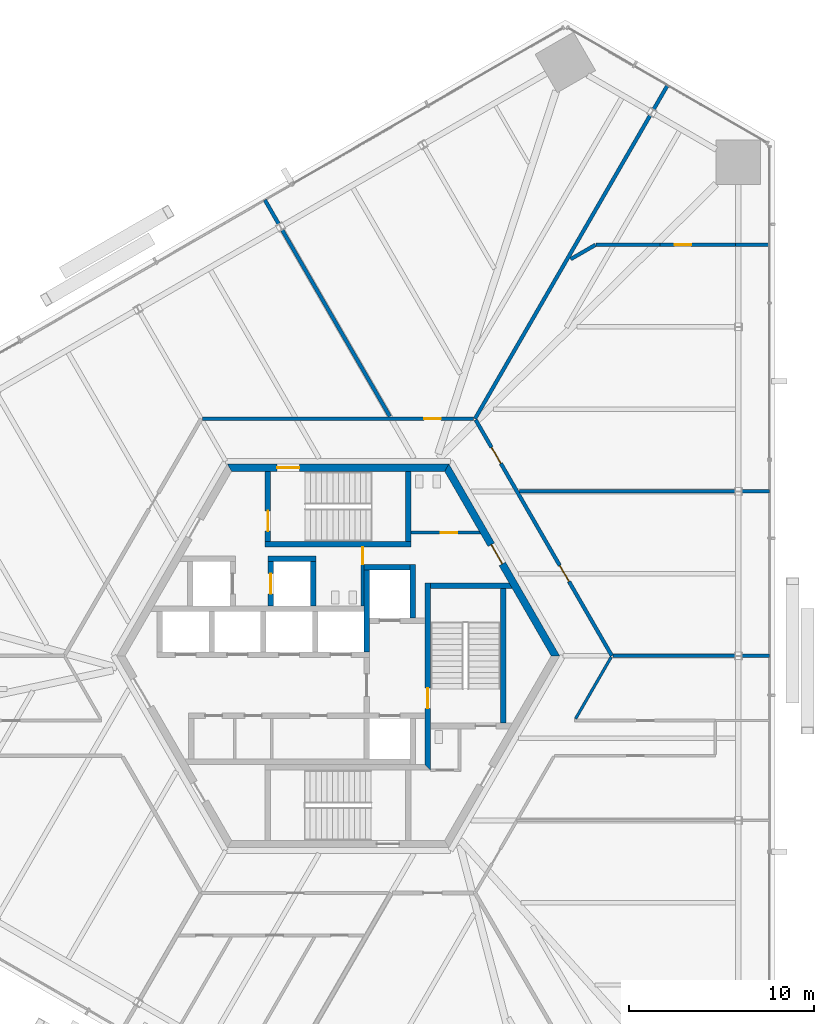
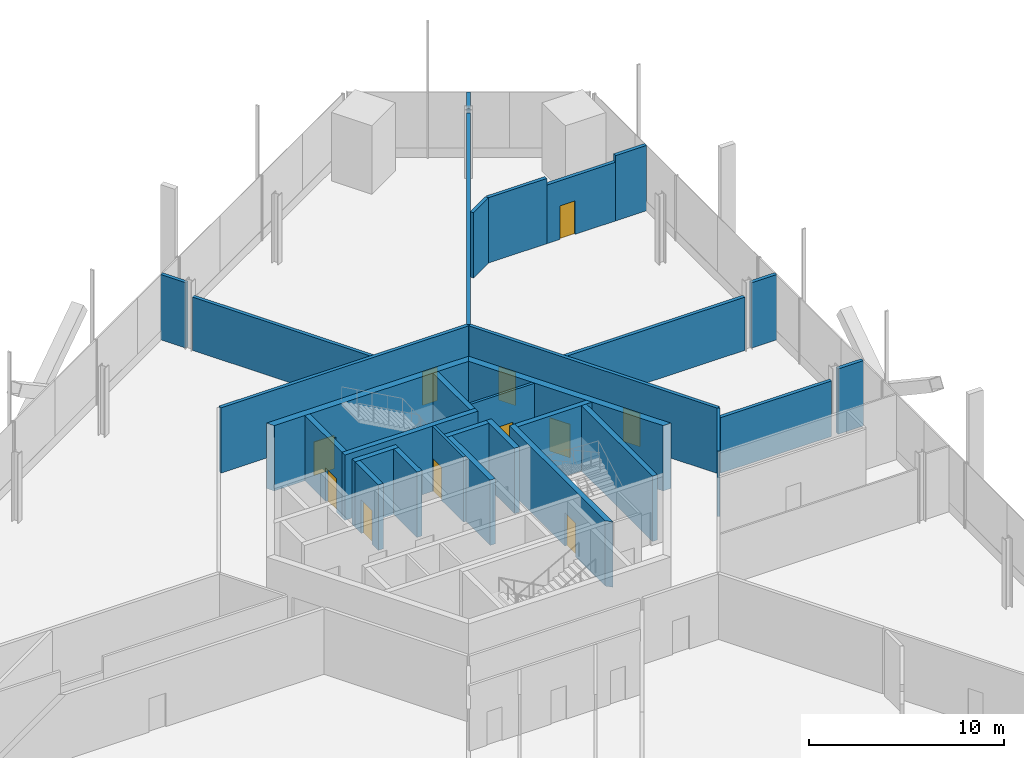
# One storey, part 12 of 18: 31 walls, 11 doors, 11 openings.
"""IFC4 building model written with IfcOpenShell, lengths in metres."""

import ifcopenshell
import ifcopenshell.guid

model = None  # the IFC model being written
_history = None  # IfcOwnerHistory: only IFC2X3 demands one
_inside = {}  # id of a spatial element -> (the spatial element, [elements in it])
_under = {}  # id of a project, library or spatial element -> (it, [spatial elements below it])
_declared = {}  # id of a project -> (the project, [libraries it declares])
_typed = {}  # id of a type object -> (the type object, [elements of that type])
_made_of = {}  # id of a material, layer set ... -> (it, [elements and type objects made of it])


def new_model(schema):
    """Start an empty IFC model of exactly this schema.

    Asked for "IFC4X3", IfcOpenShell would pick the latest addendum, in which some entities
    have other attributes; the version numbers below select the first issue.
    IFC2X3 requires an IfcOwnerHistory on every rooted entity: one is made here for all.
    """
    global model, _history
    if schema == "IFC4X3":
        model = ifcopenshell.file(schema_version=(4, 3, 0, 0))
    else:
        model = ifcopenshell.file(schema=schema)
    _inside.clear()
    _under.clear()
    _declared.clear()
    _typed.clear()
    _made_of.clear()
    _history = None
    if model.schema == "IFC2X3":
        org = make("IfcOrganization", Name="unknown")
        user = make(
            "IfcPersonAndOrganization",
            ThePerson=make("IfcPerson", FamilyName="unknown"),
            TheOrganization=org,
        )
        app = make(
            "IfcApplication",
            ApplicationDeveloper=org,
            Version="unknown",
            ApplicationFullName="unknown",
            ApplicationIdentifier="unknown",
        )
        _history = make(
            "IfcOwnerHistory",
            OwningUser=user,
            OwningApplication=app,
            ChangeAction="ADDED",
            CreationDate=0,
        )
    return model


def make(cls, **values):
    """One entity of the class cls with the attributes given. An attribute that is None is left unset."""
    return model.create_entity(
        cls, **{name: value for name, value in values.items() if value is not None}
    )


def rooted(cls, **values):
    """An entity with a GlobalId (a new one), such as an element, a storey or a relation."""
    return make(cls, GlobalId=ifcopenshell.guid.new(), OwnerHistory=_history, **values)


def si_unit(unit_type, name, prefix=None):
    """IfcSIUnit, for example si_unit("LENGTHUNIT", "METRE", prefix="MILLI")."""
    return make("IfcSIUnit", UnitType=unit_type, Prefix=prefix, Name=name)


def assignment(units):
    """IfcUnitAssignment: the units of a project."""
    return None if units is None else make("IfcUnitAssignment", Units=units)


def point(xyz):
    """IfcCartesianPoint."""
    return None if xyz is None else make("IfcCartesianPoint", Coordinates=xyz)


def direction(xyz):
    """IfcDirection."""
    return None if xyz is None else make("IfcDirection", DirectionRatios=xyz)


def frame(location, z_axis=None, x_axis=None):
    """IfcAxis2Placement3D, a coordinate frame: its origin and axes. An axis left out is left unset."""
    return make(
        "IfcAxis2Placement3D",
        Location=point(location),
        Axis=direction(z_axis),
        RefDirection=direction(x_axis),
    )


def frame_2d(location, x_axis=None):
    """IfcAxis2Placement2D, a coordinate frame in the plane: its origin and x axis."""
    return make(
        "IfcAxis2Placement2D", Location=point(location), RefDirection=direction(x_axis)
    )


def origin():
    """The frame at (0, 0, 0) with its axes left unset."""
    return frame((0.0, 0.0, 0.0))


def place(relative_to, where):
    """IfcLocalPlacement: puts the frame where relative to a parent placement (None: the world)."""
    return make(
        "IfcLocalPlacement", PlacementRelTo=relative_to, RelativePlacement=where
    )


def context(
    kind, dimensions, precision=None, world=None, true_north=None, identifier=None
):
    """IfcGeometricRepresentationContext, for example the 3D "Model" context."""
    return make(
        "IfcGeometricRepresentationContext",
        ContextIdentifier=identifier,
        ContextType=kind,
        CoordinateSpaceDimension=dimensions,
        Precision=precision,
        WorldCoordinateSystem=world,
        TrueNorth=true_north,
    )


def subcontext(parent, identifier, kind, view, scale=None):
    """IfcGeometricRepresentationSubContext, for example "Body" below "Model"."""
    return make(
        "IfcGeometricRepresentationSubContext",
        ContextIdentifier=identifier,
        ContextType=kind,
        ParentContext=parent,
        TargetScale=scale,
        TargetView=view,
    )


def project(units=None, contexts=None):
    """IfcProject with its units and contexts."""
    return rooted(
        "IfcProject",
        Name="project",
        RepresentationContexts=contexts,
        UnitsInContext=assignment(units),
    )


def spatial(cls, under=None, at=None, **own):
    """A site, building, storey or space (cls), placed at a placement, below another one or the project."""
    s = rooted(cls, ObjectPlacement=at, **own)
    if under is not None:
        _under.setdefault(under.id(), (under, []))[1].append(s)
    return s


def polyline(points):
    """IfcPolyline through the points."""
    return make("IfcPolyline", Points=[point(p) for p in points])


def profile(cls, at=None, kind="AREA", **sizes):
    """A parametric profile (cls). Its sizes go by their IFC names, for example OverallWidth=200.0."""
    return make(cls, ProfileType=kind, Position=at, **sizes)


def rectangle(**sizes):
    """IfcRectangleProfileDef."""
    return profile("IfcRectangleProfileDef", **sizes)


def outline(outer, holes=None, kind="AREA"):
    """IfcArbitraryClosedProfileDef: a profile drawn as a closed curve; with holes, ...WithVoids."""
    if holes is None:
        return make("IfcArbitraryClosedProfileDef", ProfileType=kind, OuterCurve=outer)
    return make(
        "IfcArbitraryProfileDefWithVoids",
        ProfileType=kind,
        OuterCurve=outer,
        InnerCurves=holes,
    )


def extrude(swept, where, along, depth):
    """IfcExtrudedAreaSolid: the profile swept, set in the frame where, extruded along a direction by depth."""
    return make(
        "IfcExtrudedAreaSolid",
        SweptArea=swept,
        Position=where,
        ExtrudedDirection=direction(along),
        Depth=depth,
    )


def shape(context_of_items, identifier, shape_type, items):
    """IfcShapeRepresentation: the items that make up one representation, for example the "Body"."""
    return make(
        "IfcShapeRepresentation",
        ContextOfItems=context_of_items,
        RepresentationIdentifier=identifier,
        RepresentationType=shape_type,
        Items=items,
    )


def source(mapping_origin, context_of_items, identifier, shape_type, items):
    """IfcRepresentationMap: a shape defined once, which mapped items show again and again."""
    return make(
        "IfcRepresentationMap",
        MappingOrigin=mapping_origin,
        MappedRepresentation=shape(context_of_items, identifier, shape_type, items),
    )


def transform(
    local_origin,
    x_axis=None,
    y_axis=None,
    z_axis=None,
    scale=None,
    scale2=None,
    scale3=None,
    uniform=True,
):
    """IfcCartesianTransformationOperator3D, or its non-uniform kind. x_axis, y_axis, z_axis: its Axis1, 2, 3."""
    if uniform:
        return make(
            "IfcCartesianTransformationOperator3D",
            Axis1=direction(x_axis),
            Axis2=direction(y_axis),
            LocalOrigin=point(local_origin),
            Scale=scale,
            Axis3=direction(z_axis),
        )
    return make(
        "IfcCartesianTransformationOperator3DnonUniform",
        Axis1=direction(x_axis),
        Axis2=direction(y_axis),
        LocalOrigin=point(local_origin),
        Scale=scale,
        Axis3=direction(z_axis),
        Scale2=scale2,
        Scale3=scale3,
    )


def mapped(mapping_source, mapping_target):
    """IfcMappedItem: shows the shape of a source again, moved by a transform."""
    return make(
        "IfcMappedItem", MappingSource=mapping_source, MappingTarget=mapping_target
    )


def material(Name=None, Category=None):
    """IfcMaterial."""
    return make("IfcMaterial", Name=Name, Category=Category)


def layer(
    of_material, thickness, ventilated=None, Name=None, Category=None, Priority=None
):
    """IfcMaterialLayer: one layer of a wall or slab, of a material (None: an air gap)."""
    return make(
        "IfcMaterialLayer",
        Material=of_material,
        LayerThickness=thickness,
        IsVentilated=ventilated,
        Name=Name,
        Category=Category,
        Priority=Priority,
    )


def layer_set(layers, Name=None):
    """IfcMaterialLayerSet."""
    return make("IfcMaterialLayerSet", MaterialLayers=layers, LayerSetName=Name)


def made_of(thing, what):
    """Note that an element or type object is made of a material, layer set ...; save() writes the relation."""
    if what is not None:
        _made_of.setdefault(what.id(), (what, []))[1].append(thing)
    return thing


def type_object(cls, material=None, **own):
    """A type object (cls), such as IfcWallType, which elements share."""
    return made_of(rooted(cls, **own), material)


def element(
    cls,
    number,
    at=None,
    inside=None,
    cuts=None,
    type_object=None,
    material=None,
    context=None,
    identifier="Body",
    shape_type=None,
    held_by="IfcProductDefinitionShape",
    body=None,
    shapes=None,
    **own,
):
    """One element of the class cls, such as IfcWall. Its Tag is "e" and its number.

    at: its placement. inside: the storey or other place that contains it. cuts: it is an
    opening in that element (IfcRelVoidsElement). A single representation is given by context,
    identifier, shape_type and body (its items); several are given by shapes. held_by: the class
    of the entity that holds the representations. save() writes the other relations.
    """
    e = rooted(cls, Tag="e%d" % number, ObjectPlacement=at, **own)
    if body is not None:
        shapes = [shape(context, identifier, shape_type, body)]
    if shapes is not None:
        e.Representation = make(held_by, Representations=shapes)
    if inside is not None:
        _inside.setdefault(inside.id(), (inside, []))[1].append(e)
    if cuts is not None:
        rooted(
            "IfcRelVoidsElement", RelatingBuildingElement=cuts, RelatedOpeningElement=e
        )
    if type_object is not None:
        _typed.setdefault(type_object.id(), (type_object, []))[1].append(e)
    return made_of(e, material)


def fill(opening, filler):
    """IfcRelFillsElement: the door or window that sits in an opening."""
    return rooted(
        "IfcRelFillsElement",
        RelatingOpeningElement=opening,
        RelatedBuildingElement=filler,
    )


def aggregate(whole, parts):
    """IfcRelAggregates: a whole, such as a stair, and the parts it consists of."""
    return rooted("IfcRelAggregates", RelatingObject=whole, RelatedObjects=parts)


def save(model, path):
    """Write the relations noted so far, then the file.

    IfcRelAggregates (storeys below a building ...), IfcRelContainedInSpatialStructure (elements
    in a storey), IfcRelDefinesByType, IfcRelAssociatesMaterial and IfcRelDeclares: one each for
    every whole, place, type object, material and project.
    """
    for whole, parts in _under.values():
        aggregate(whole, parts)
    for where, things in _inside.values():
        rooted(
            "IfcRelContainedInSpatialStructure",
            RelatedElements=things,
            RelatingStructure=where,
        )
    for kind, things in _typed.values():
        rooted("IfcRelDefinesByType", RelatedObjects=things, RelatingType=kind)
    for what, things in _made_of.values():
        rooted("IfcRelAssociatesMaterial", RelatedObjects=things, RelatingMaterial=what)
    for by, libraries in _declared.values():
        rooted("IfcRelDeclares", RelatingContext=by, RelatedDefinitions=libraries)
    model.write(path)


model = new_model("IFC4")

# Units and contexts
model_context = context("Model", 3, precision=1e-05, world=origin(), true_north=direction((0.0, 1.0)))
body_context = subcontext(model_context, "Body", "Model", "MODEL_VIEW")
ifc_project = project(units=[si_unit("LENGTHUNIT", "METRE"), si_unit("AREAUNIT", "SQUARE_METRE"), si_unit("VOLUMEUNIT", "CUBIC_METRE"), si_unit("PLANEANGLEUNIT", "RADIAN"), si_unit("MASSUNIT", "GRAM", prefix="KILO")], contexts=[model_context])

# Site, building, storey
site_placement = place(None, origin())
site = spatial("IfcSite", under=ifc_project, at=site_placement, CompositionType="ELEMENT")
building_placement = place(site_placement, origin())
building = spatial("IfcBuilding", under=site, at=building_placement, Name="Triune Harvest Tower", CompositionType="ELEMENT")
storey_placement = place(building_placement, frame((0.0, 0.0, 33.199951171875)))
storey = spatial("IfcBuildingStorey", under=building, at=storey_placement, Name="L07", CompositionType="ELEMENT", Elevation=33.199951171875)

# Walls
ifc_material_1 = material(Name="Gypsum board on steel studs", Category="steel")
ifc_layer_1 = layer(ifc_material_1, 0.199951171875)
ifc_layer_set_1 = layer_set([ifc_layer_1], Name="Gypsum board on steel studs")
wall_type_1 = type_object("IfcWallType", Name="Fire Wall 200 mm", PredefinedType="PARTITIONING", material=ifc_layer_set_1)
wall_1_placement = place(storey_placement, frame((13.96337890625, 22.27490234375, 0.0), z_axis=(0.0, 0.0, 1.0), x_axis=(1.0, 0.0, 0.0)))
element("IfcWall", 1, at=wall_1_placement, inside=storey, type_object=wall_type_1, Name="Partition L07 028", PredefinedType="PARTITIONING", context=body_context, shape_type="SweptSolid", body=[
    extrude(rectangle(XDim=3.477294921875, YDim=0.199951171875, at=frame_2d((1.73876953125, 0.0))), origin(), (0.0, 0.0, 1.0), 4.10009765625),
])
wall_2_placement = place(storey_placement, frame((12.594482421875, 21.484619140625, 0.0), z_axis=(0.0, 0.0, 1.0), x_axis=(0.865986299303, 0.500067724834, 0.0)))
element("IfcWall", 2, at=wall_2_placement, inside=storey, type_object=wall_type_1, Name="Partition L07 030", PredefinedType="PARTITIONING", context=body_context, shape_type="SweptSolid", body=[
    extrude(rectangle(XDim=1.550537109375, YDim=0.199951171875, at=frame_2d((0.775390625, 0.0))), origin(), (0.0, 0.0, 1.0), 4.10009765625),
])

# Wall, opening, door
ifc_material_2 = material(Name="Concrete 70 MPa", Category="concrete")
ifc_layer_2 = layer(ifc_material_2, 0.39990234375)
ifc_layer_set_2 = layer_set([ifc_layer_2], Name="Concrete 70 MPa")
wall_type_2 = type_object("IfcWallType", Name="Core wall 400", PredefinedType="SHEAR", material=ifc_layer_set_2)
shared_shape_1 = source(origin(), body_context, "Body", "SweptSolid", [
    extrude(outline(polyline([(-0.115478515625, -0.199951171875), (11.884521484375, -0.199951171875), (11.653564453125, 0.199951171875), (0.115478515625, 0.199951171875), (-0.115478515625, -0.199951171875)])), origin(), (0.0, 0.0, 1.0), 4.10009765625),
])
wall_3_placement = place(storey_placement, frame((11.76904296875, 0.0, 0.0), z_axis=(0.0, 0.0, 1.0), x_axis=(-0.499996592174, 0.866027371285, 0.0)))
wall_3 = element("IfcWall", 3, at=wall_3_placement, inside=storey, type_object=wall_type_2, Name="Hexagon 0 wall", PredefinedType="SHEAR", context=body_context, shape_type="MappedRepresentation", body=[
    mapped(shared_shape_1, transform((0.0, 0.0, 0.0), scale=1.0)),
])
opening_1_placement = place(wall_3_placement, frame((5.75048828125, 0.0, 0.0)))
opening_1 = element("IfcOpeningElement", 4, at=opening_1_placement, cuts=wall_3, Name="Opening CD-WCP", PredefinedType="OPENING", context=body_context, shape_type="SweptSolid", body=[
    extrude(rectangle(XDim=1.199951171875, YDim=2.10009765625, at=frame_2d((0.60009765625, 1.050048828125))), frame((0.0, 0.2099609375, 0.0), z_axis=(0.0, -1.0, 0.0), x_axis=(1.0, 0.0, 0.0)), (0.0, 0.0, 1.0), 0.419921875),
])
ifc_material_3 = material(Name="Steel S235", Category="steel")
door_type_1 = type_object("IfcDoorType", Name="Lobby door 1200 FD120", OperationType="SINGLE_SWING_LEFT", PredefinedType="DOOR", material=ifc_material_3)
door_1_placement = place(opening_1_placement, frame((1.199951171875, 0.0, 0.0), z_axis=(0.0, 0.0, 1.0), x_axis=(-1.0, 0.0, 0.0)))
door_1 = element("IfcDoor", 5, at=door_1_placement, inside=storey, type_object=door_type_1, Name="Door CD-WCP", OperationType="SINGLE_SWING_RIGHT", OverallHeight=2.10009765625, OverallWidth=1.199951171875, PredefinedType="DOOR", context=body_context, shape_type="SweptSolid", body=[
    extrude(rectangle(XDim=1.199951171875, YDim=2.10009765625, at=frame_2d((0.60009765625, 1.050048828125))), frame((0.0, 0.02490234375, 0.0), z_axis=(0.0, -1.0, 0.0), x_axis=(1.0, 0.0, 0.0)), (0.0, 0.0, 1.0), 0.050048828125),
])
fill(opening_1, door_1)

wall_4_placement = place(storey_placement, frame((5.884521484375, 10.1923828125, 0.0), z_axis=(0.0, 0.0, 1.0), x_axis=(-1.0, 0.0, 0.0)))
wall_4 = element("IfcWall", 6, at=wall_4_placement, inside=storey, type_object=wall_type_2, Name="Hexagon 1 wall", PredefinedType="SHEAR", context=body_context, shape_type="MappedRepresentation", body=[
    mapped(shared_shape_1, transform((0.0, 0.0, 0.0), scale=1.0)),
])
opening_2_placement = place(wall_4_placement, frame((7.984619140625, 0.0, 0.0)))
opening_2 = element("IfcOpeningElement", 7, at=opening_2_placement, cuts=wall_4, Name="Opening CD-S1P", PredefinedType="OPENING", context=body_context, shape_type="SweptSolid", body=[
    extrude(rectangle(XDim=1.199951171875, YDim=2.10009765625, at=frame_2d((0.60009765625, 1.050048828125))), frame((0.0, 0.2099609375, 0.0), z_axis=(0.0, -1.0, 0.0), x_axis=(1.0, 0.0, 0.0)), (0.0, 0.0, 1.0), 0.419921875),
])
ifc_material_4 = material(Name="Steel S235", Category="steel")
door_type_2 = type_object("IfcDoorType", Name="Stair door 1200 FD120", OperationType="SINGLE_SWING_LEFT", PredefinedType="DOOR", material=ifc_material_4)
door_2_placement = place(opening_2_placement, frame((1.199951171875, 0.0, 0.0), z_axis=(0.0, 0.0, 1.0), x_axis=(-1.0, 0.0, 0.0)))
door_2 = element("IfcDoor", 8, at=door_2_placement, inside=storey, type_object=door_type_2, Name="Door CD-S1P", OperationType="SINGLE_SWING_RIGHT", OverallHeight=2.10009765625, OverallWidth=1.199951171875, PredefinedType="DOOR", context=body_context, shape_type="SweptSolid", body=[
    extrude(rectangle(XDim=1.199951171875, YDim=2.10009765625, at=frame_2d((0.60009765625, 1.050048828125))), frame((0.0, 0.02490234375, 0.0), z_axis=(0.0, -1.0, 0.0), x_axis=(1.0, 0.0, 0.0)), (0.0, 0.0, 1.0), 0.050048828125),
])
fill(opening_2, door_2)

# Walls
ifc_material_5 = material(Name="Concrete 70 MPa", Category="concrete")
ifc_layer_3 = layer(ifc_material_5, 0.300048828125)
ifc_layer_set_3 = layer_set([ifc_layer_3], Name="Concrete 70 MPa")
wall_type_3 = type_object("IfcWallType", Name="Core wall 300", PredefinedType="SHEAR", material=ifc_layer_set_3)
shared_shape_2 = source(origin(), body_context, "Body", "SweptSolid", [
    extrude(rectangle(XDim=2.5, YDim=0.300048828125, at=frame_2d((1.25, 0.0))), origin(), (0.0, 0.0, 1.0), 4.10009765625),
])
wall_5_placement = place(storey_placement, frame((1.39990234375, 4.81005859375, 0.0), z_axis=(0.0, 0.0, 1.0), x_axis=(1.0, 0.0, 0.0)))
element("IfcWall", 9, at=wall_5_placement, inside=storey, type_object=wall_type_3, Name="Ff1 back wall", PredefinedType="SHEAR", context=body_context, shape_type="MappedRepresentation", body=[
    mapped(shared_shape_2, transform((0.0, 0.0, 0.0), scale=1.0)),
])
shared_shape_3 = source(origin(), body_context, "Body", "SweptSolid", [
    extrude(rectangle(XDim=4.449951171875, YDim=0.300048828125, at=frame_2d((2.22509765625, 0.0))), origin(), (0.0, 0.0, 1.0), 4.10009765625),
])
wall_6_placement = place(storey_placement, frame((1.550048828125, 0.2099609375, 0.0), z_axis=(0.0, 0.0, 1.0), x_axis=(0.0, 1.0, 0.0)))
element("IfcWall", 10, at=wall_6_placement, inside=storey, type_object=wall_type_3, Name="Ff1 west wall", PredefinedType="SHEAR", context=body_context, shape_type="MappedRepresentation", body=[
    mapped(shared_shape_3, transform((0.0, 0.0, 0.0), scale=1.0)),
])
shared_shape_4 = source(origin(), body_context, "Body", "SweptSolid", [
    extrude(rectangle(XDim=2.89990234375, YDim=0.300048828125, at=frame_2d((1.449951171875, 0.0))), origin(), (0.0, 0.0, 1.0), 4.10009765625),
])
wall_7_placement = place(storey_placement, frame((4.050048828125, 2.06005859375, 0.0), z_axis=(0.0, 0.0, 1.0), x_axis=(0.0, 1.0, 0.0)))
element("IfcWall", 11, at=wall_7_placement, inside=storey, type_object=wall_type_3, Name="Ff1 east wall", PredefinedType="SHEAR", context=body_context, shape_type="MappedRepresentation", body=[
    mapped(shared_shape_4, transform((0.0, 0.0, 0.0), scale=1.0)),
])

# Wall, opening, door
shared_shape_5 = source(origin(), body_context, "Body", "SweptSolid", [
    extrude(outline(polyline([(-0.14990234375, -0.14990234375), (9.989990234375, -0.14990234375), (9.989990234375, 0.14990234375), (0.14990234375, 0.14990234375), (-0.14990234375, -0.14990234375)])), origin(), (0.0, 0.0, 1.0), 4.10009765625),
])
wall_8_placement = place(storey_placement, frame((4.85009765625, -6.0400390625, 0.0), z_axis=(0.0, 0.0, 1.0), x_axis=(0.0, 1.0, 0.0)))
wall_8 = element("IfcWall", 12, at=wall_8_placement, inside=storey, type_object=wall_type_3, Name="Stair e west wall", PredefinedType="SHEAR", context=body_context, shape_type="MappedRepresentation", body=[
    mapped(shared_shape_5, transform((0.0, 0.0, 0.0), scale=1.0)),
])
opening_3_placement = place(wall_8_placement, frame((3.18994140625, 0.0, 0.0)))
opening_3 = element("IfcOpeningElement", 13, at=opening_3_placement, cuts=wall_8, Name="Opening CD-S3L", PredefinedType="OPENING", context=body_context, shape_type="SweptSolid", body=[
    extrude(rectangle(XDim=1.10009765625, YDim=2.10009765625, at=frame_2d((0.550048828125, 1.050048828125))), frame((0.0, 0.16015625, 0.0), z_axis=(0.0, -1.0, 0.0), x_axis=(1.0, 0.0, 0.0)), (0.0, 0.0, 1.0), 0.320068359375),
])
ifc_material_6 = material(Name="Steel S235", Category="steel")
door_type_3 = type_object("IfcDoorType", Name="Stair door 1100 FD120", OperationType="SINGLE_SWING_LEFT", PredefinedType="DOOR", material=ifc_material_6)
door_3_placement = place(opening_3_placement, frame((1.10009765625, 0.0, 0.0), z_axis=(0.0, 0.0, 1.0), x_axis=(-1.0, 0.0, 0.0)))
door_3 = element("IfcDoor", 14, at=door_3_placement, inside=storey, type_object=door_type_3, Name="Door CD-S3L", OperationType="SINGLE_SWING_RIGHT", OverallHeight=2.10009765625, OverallWidth=1.10009765625, PredefinedType="DOOR", context=body_context, shape_type="SweptSolid", body=[
    extrude(rectangle(XDim=1.10009765625, YDim=2.10009765625, at=frame_2d((0.550048828125, 1.050048828125))), frame((0.0, 0.02490234375, 0.0), z_axis=(0.0, -1.0, 0.0), x_axis=(1.0, 0.0, 0.0)), (0.0, 0.0, 1.0), 0.050048828125),
])
fill(opening_3, door_3)

# Walls
shared_shape_6 = source(origin(), body_context, "Body", "SweptSolid", [
    extrude(outline(polyline([(0.0, -0.14990234375), (0.0, 0.14990234375), (4.260009765625, 0.14990234375), (4.43310546875, -0.14990234375), (0.0, -0.14990234375)])), origin(), (0.0, 0.0, 1.0), 4.10009765625),
])
wall_9_placement = place(storey_placement, frame((5.0, 3.800048828125, 0.0), z_axis=(0.0, 0.0, 1.0), x_axis=(1.0, 0.0, 0.0)))
element("IfcWall", 15, at=wall_9_placement, inside=storey, type_object=wall_type_3, Name="Stair e north wall", PredefinedType="SHEAR", context=body_context, shape_type="MappedRepresentation", body=[
    mapped(shared_shape_6, transform((0.0, 0.0, 0.0), scale=1.0)),
])
shared_shape_7 = source(origin(), body_context, "Body", "SweptSolid", [
    extrude(rectangle(XDim=7.2998046875, YDim=0.300048828125, at=frame_2d((3.64990234375, 0.0))), origin(), (0.0, 0.0, 1.0), 4.10009765625),
])
wall_10_placement = place(storey_placement, frame((8.949951171875, -3.64990234375, 0.0), z_axis=(0.0, 0.0, 1.0), x_axis=(0.0, 1.0, 0.0)))
element("IfcWall", 16, at=wall_10_placement, inside=storey, type_object=wall_type_3, Name="Stair e east wall", PredefinedType="SHEAR", context=body_context, shape_type="MappedRepresentation", body=[
    mapped(shared_shape_7, transform((0.0, 0.0, 0.0), scale=1.0)),
])
shared_shape_8 = source(origin(), body_context, "Body", "SweptSolid", [
    extrude(rectangle(XDim=7.89990234375, YDim=0.300048828125, at=frame_2d((3.949951171875, 0.0))), origin(), (0.0, 0.0, 1.0), 4.10009765625),
])
wall_11_placement = place(storey_placement, frame((-3.949951171875, 6.0400390625, 0.0), z_axis=(0.0, 0.0, 1.0), x_axis=(1.0, 0.0, 0.0)))
element("IfcWall", 17, at=wall_11_placement, inside=storey, type_object=wall_type_3, Name="Stair n south wall", PredefinedType="SHEAR", context=body_context, shape_type="MappedRepresentation", body=[
    mapped(shared_shape_8, transform((0.0, 0.0, 0.0), scale=1.0)),
])

# Wall, opening, door
shared_shape_9 = source(origin(), body_context, "Body", "SweptSolid", [
    extrude(outline(polyline([(0.0, -0.14990234375), (0.0, 0.14990234375), (3.80419921875, 0.14990234375), (3.80419921875, -0.14990234375), (0.0, -0.14990234375)])), origin(), (0.0, 0.0, 1.0), 4.10009765625),
])
wall_12_placement = place(storey_placement, frame((-3.800048828125, 6.18994140625, 0.0), z_axis=(0.0, 0.0, 1.0), x_axis=(0.0, 1.0, 0.0)))
wall_12 = element("IfcWall", 18, at=wall_12_placement, inside=storey, type_object=wall_type_3, Name="Stair n west wall", PredefinedType="SHEAR", context=body_context, shape_type="MappedRepresentation", body=[
    mapped(shared_shape_9, transform((0.0, 0.0, 0.0), scale=1.0)),
])
opening_4_placement = place(wall_12_placement, frame((0.56005859375, 0.0, 0.0)))
opening_4 = element("IfcOpeningElement", 19, at=opening_4_placement, cuts=wall_12, Name="Opening CD-S1L", PredefinedType="OPENING", context=body_context, shape_type="SweptSolid", body=[
    extrude(rectangle(XDim=1.10009765625, YDim=2.10009765625, at=frame_2d((0.550048828125, 1.050048828125))), frame((0.0, 0.16015625, 0.0), z_axis=(0.0, -1.0, 0.0), x_axis=(1.0, 0.0, 0.0)), (0.0, 0.0, 1.0), 0.320068359375),
])
door_4_placement = place(opening_4_placement, frame((1.10009765625, 0.0, 0.0), z_axis=(0.0, 0.0, 1.0), x_axis=(-1.0, 0.0, 0.0)))
door_4 = element("IfcDoor", 20, at=door_4_placement, inside=storey, type_object=door_type_3, Name="Door CD-S1L", OperationType="SINGLE_SWING_RIGHT", OverallHeight=2.10009765625, OverallWidth=1.10009765625, PredefinedType="DOOR", context=body_context, shape_type="SweptSolid", body=[
    extrude(rectangle(XDim=1.10009765625, YDim=2.10009765625, at=frame_2d((0.550048828125, 1.050048828125))), frame((0.0, 0.02490234375, 0.0), z_axis=(0.0, -1.0, 0.0), x_axis=(1.0, 0.0, 0.0)), (0.0, 0.0, 1.0), 0.050048828125),
])
fill(opening_4, door_4)

# Wall
wall_13_placement = place(storey_placement, frame((3.800048828125, 6.18994140625, 0.0), z_axis=(0.0, 0.0, 1.0), x_axis=(0.0, 1.0, 0.0)))
element("IfcWall", 21, at=wall_13_placement, inside=storey, type_object=wall_type_3, Name="Stair n east wall", PredefinedType="SHEAR", context=body_context, shape_type="MappedRepresentation", body=[
    mapped(shared_shape_9, transform((0.0, 0.0, 0.0), scale=1.0)),
])

# Wall, opening, door
shared_shape_10 = source(origin(), body_context, "Body", "SweptSolid", [
    extrude(rectangle(XDim=2.400146484375, YDim=0.300048828125, at=frame_2d((1.2001953125, 0.0))), origin(), (0.0, 0.0, 1.0), 4.10009765625),
])
wall_14_placement = place(storey_placement, frame((-3.64990234375, 2.7099609375, 0.0), z_axis=(0.0, 0.0, 1.0), x_axis=(0.0, 1.0, 0.0)))
wall_14 = element("IfcWall", 22, at=wall_14_placement, inside=storey, type_object=wall_type_3, Name="Sv2 west wall", PredefinedType="SHEAR", context=body_context, shape_type="MappedRepresentation", body=[
    mapped(shared_shape_10, transform((0.0, 0.0, 0.0), scale=1.0)),
])
opening_5_placement = place(wall_14_placement, frame((0.64990234375, 0.0, 0.0)))
opening_5 = element("IfcOpeningElement", 23, at=opening_5_placement, cuts=wall_14, Name="Opening LD-SV2-07", PredefinedType="OPENING", context=body_context, shape_type="SweptSolid", body=[
    extrude(rectangle(XDim=1.10009765625, YDim=2.10009765625, at=frame_2d((0.550048828125, 1.050048828125))), frame((0.0, 0.16015625, 0.0), z_axis=(0.0, -1.0, 0.0), x_axis=(1.0, 0.0, 0.0)), (0.0, 0.0, 1.0), 0.320068359375),
])
ifc_material_7 = material(Name="Stainless steel AISI 304", Category="steel")
door_type_4 = type_object("IfcDoorType", Name="Landing door 1100 x 2100", OperationType="DOUBLE_DOOR_SLIDING", PredefinedType="DOOR", material=ifc_material_7)
door_5_placement = place(opening_5_placement, origin())
door_5 = element("IfcDoor", 24, at=door_5_placement, inside=storey, type_object=door_type_4, Name="Door LD-SV2-07", OperationType="DOUBLE_DOOR_SLIDING", OverallHeight=2.10009765625, OverallWidth=1.10009765625, PredefinedType="DOOR", context=body_context, shape_type="SweptSolid", body=[
    extrude(rectangle(XDim=1.10009765625, YDim=2.10009765625, at=frame_2d((0.550048828125, 1.050048828125))), frame((0.0, 0.02490234375, 0.0), z_axis=(0.0, -1.0, 0.0), x_axis=(1.0, 0.0, 0.0)), (0.0, 0.0, 1.0), 0.050048828125),
])
fill(opening_5, door_5)

# Walls
wall_15_placement = place(storey_placement, frame((-1.35009765625, 2.7099609375, 0.0), z_axis=(0.0, 0.0, 1.0), x_axis=(0.0, 1.0, 0.0)))
element("IfcWall", 25, at=wall_15_placement, inside=storey, type_object=wall_type_3, Name="Sv2 east wall", PredefinedType="SHEAR", context=body_context, shape_type="MappedRepresentation", body=[
    mapped(shared_shape_10, transform((0.0, 0.0, 0.0), scale=1.0)),
])
shared_shape_11 = source(origin(), body_context, "Body", "SweptSolid", [
    extrude(rectangle(XDim=2.60009765625, YDim=0.300048828125, at=frame_2d((1.300048828125, 0.0))), origin(), (0.0, 0.0, 1.0), 4.10009765625),
])
wall_16_placement = place(storey_placement, frame((-3.800048828125, 5.260009765625, 0.0), z_axis=(0.0, 0.0, 1.0), x_axis=(1.0, 0.0, 0.0)))
element("IfcWall", 26, at=wall_16_placement, inside=storey, type_object=wall_type_3, Name="Sv2 north wall", PredefinedType="SHEAR", context=body_context, shape_type="MappedRepresentation", body=[
    mapped(shared_shape_11, transform((0.0, 0.0, 0.0), scale=1.0)),
])

# Wall, opening, door
ifc_material_8 = material(Name="Concrete masonry unit", Category="masonry")
ifc_layer_4 = layer(ifc_material_8, 0.14990234375)
ifc_layer_set_4 = layer_set([ifc_layer_4], Name="Concrete masonry unit")
wall_type_4 = type_object("IfcWallType", Name="Block partition 150 unrated", PredefinedType="PARTITIONING", material=ifc_layer_set_4)
shared_shape_12 = source(origin(), body_context, "Body", "SweptSolid", [
    extrude(rectangle(XDim=3.179931640625, YDim=0.14990234375, at=frame_2d((1.58984375, 0.0))), origin(), (0.0, 0.0, 1.0), 4.10009765625),
])
wall_17_placement = place(storey_placement, frame((1.324951171875, 2.7099609375, 0.0), z_axis=(0.0, 0.0, 1.0), x_axis=(0.0, 1.0, 0.0)))
wall_17 = element("IfcWall", 27, at=wall_17_placement, inside=storey, type_object=wall_type_4, Name="Wc men east wall", PredefinedType="PARTITIONING", context=body_context, shape_type="MappedRepresentation", body=[
    mapped(shared_shape_12, transform((0.0, 0.0, 0.0), scale=1.0)),
])
opening_6_placement = place(wall_17_placement, frame((2.264892578125, 0.0, 0.0)))
opening_6 = element("IfcOpeningElement", 28, at=opening_6_placement, cuts=wall_17, Name="Opening CD-WM", PredefinedType="OPENING", context=body_context, shape_type="SweptSolid", body=[
    extrude(rectangle(XDim=0.89990234375, YDim=2.10009765625, at=frame_2d((0.449951171875, 1.050048828125))), frame((0.0, 0.0849609375, 0.0), z_axis=(0.0, -1.0, 0.0), x_axis=(1.0, 0.0, 0.0)), (0.0, 0.0, 1.0), 0.169921875),
])
ifc_material_9 = material(Name="Timber C24", Category="wood")
door_type_5 = type_object("IfcDoorType", Name="WC door 900", OperationType="SINGLE_SWING_LEFT", PredefinedType="DOOR", material=ifc_material_9)
door_6_placement = place(opening_6_placement, origin())
door_6 = element("IfcDoor", 29, at=door_6_placement, inside=storey, type_object=door_type_5, Name="Door CD-WM", OperationType="SINGLE_SWING_LEFT", OverallHeight=2.10009765625, OverallWidth=0.89990234375, PredefinedType="DOOR", context=body_context, shape_type="SweptSolid", body=[
    extrude(rectangle(XDim=0.89990234375, YDim=2.10009765625, at=frame_2d((0.449951171875, 1.050048828125))), frame((0.0, 0.02490234375, 0.0), z_axis=(0.0, -1.0, 0.0), x_axis=(1.0, 0.0, 0.0)), (0.0, 0.0, 1.0), 0.050048828125),
])
fill(opening_6, door_6)

shared_shape_13 = source(origin(), body_context, "Body", "SweptSolid", [
    extrude(outline(polyline([(0.0, -0.074951171875), (0.0, 0.074951171875), (3.693359375, 0.074951171875), (3.77978515625, -0.074951171875), (0.0, -0.074951171875)])), origin(), (0.0, 0.0, 1.0), 4.10009765625),
])
wall_18_placement = place(storey_placement, frame((3.949951171875, 6.675048828125, 0.0), z_axis=(0.0, 0.0, 1.0), x_axis=(1.0, 0.0, 0.0)))
wall_18 = element("IfcWall", 30, at=wall_18_placement, inside=storey, type_object=wall_type_4, Name="Wc women south wall", PredefinedType="PARTITIONING", context=body_context, shape_type="MappedRepresentation", body=[
    mapped(shared_shape_13, transform((0.0, 0.0, 0.0), scale=1.0)),
])
opening_7_placement = place(wall_18_placement, frame((1.60009765625, 0.0, 0.0)))
opening_7 = element("IfcOpeningElement", 31, at=opening_7_placement, cuts=wall_18, Name="Opening CD-WW", PredefinedType="OPENING", context=body_context, shape_type="SweptSolid", body=[
    extrude(rectangle(XDim=0.89990234375, YDim=2.10009765625, at=frame_2d((0.449951171875, 1.050048828125))), frame((0.0, 0.0849609375, 0.0), z_axis=(0.0, -1.0, 0.0), x_axis=(1.0, 0.0, 0.0)), (0.0, 0.0, 1.0), 0.169921875),
])
door_7_placement = place(opening_7_placement, origin())
door_7 = element("IfcDoor", 32, at=door_7_placement, inside=storey, type_object=door_type_5, Name="Door CD-WW", OperationType="SINGLE_SWING_LEFT", OverallHeight=2.10009765625, OverallWidth=0.89990234375, PredefinedType="DOOR", context=body_context, shape_type="SweptSolid", body=[
    extrude(rectangle(XDim=0.89990234375, YDim=2.10009765625, at=frame_2d((0.449951171875, 1.050048828125))), frame((0.0, 0.02490234375, 0.0), z_axis=(0.0, -1.0, 0.0), x_axis=(1.0, 0.0, 0.0)), (0.0, 0.0, 1.0), 0.050048828125),
])
fill(opening_7, door_7)

# Walls
shared_shape_14 = source(origin(), body_context, "Body", "SweptSolid", [
    extrude(rectangle(XDim=1.49853515625, YDim=0.199951171875, at=frame_2d((0.749267578125, 0.0))), origin(), (0.0, 0.0, 1.0), 4.10009765625),
])
for number, where, z_axis, x_axis, name in (
    (33, (21.872802734375, 0.0, 0.0), (0.0, 0.0, 1.0), (1.0, 0.0, 0.0), "Partition L07 024"),
    (34, (21.872802734375, 8.909912109375, 0.0), (0.0, 0.0, 1.0), (1.0, 0.0, 0.0), "Partition L07 026"),
):
    element("IfcWall", number, at=place(storey_placement, frame(where, z_axis=z_axis, x_axis=x_axis)), inside=storey, type_object=wall_type_1, Name=name, PredefinedType="PARTITIONING", context=body_context, shape_type="MappedRepresentation", body=[
        mapped(shared_shape_14, transform((0.0, 0.0, 0.0), scale=1.0)),
    ])
shared_shape_15 = source(origin(), body_context, "Body", "SweptSolid", [
    extrude(rectangle(XDim=1.498779296875, YDim=0.199951171875, at=frame_2d((0.74951171875, 0.0))), origin(), (0.0, 0.0, 1.0), 4.10009765625),
])
for number, where, z_axis, x_axis, name in (
    (35, (-3.969482421875, 24.6953125, 0.0), (0.0, 0.0, 1.0), (0.499905760005, -0.866079806435, 0.0), "Partition L07 006"),
    (36, (17.0908203125, 29.602294921875, 0.0), (0.0, 0.0, 1.0), (0.499905760005, 0.866079806435, 0.0), "Partition L07 041"),
):
    element("IfcWall", number, at=place(storey_placement, frame(where, z_axis=z_axis, x_axis=x_axis)), inside=storey, type_object=wall_type_1, Name=name, PredefinedType="PARTITIONING", context=body_context, shape_type="MappedRepresentation", body=[
        mapped(shared_shape_15, transform((0.0, 0.0, 0.0), scale=1.0)),
    ])
ifc_material_10 = material(Name="Gypsum board on steel studs", Category="steel")
ifc_layer_5 = layer(ifc_material_10, 0.14990234375)
ifc_layer_set_5 = layer_set([ifc_layer_5], Name="Gypsum board on steel studs")
wall_type_5 = type_object("IfcWallType", Name="Fire Partition 150 mm", PredefinedType="PARTITIONING", material=ifc_layer_set_5)
shared_shape_16 = source(origin(), body_context, "Body", "SweptSolid", [
    extrude(rectangle(XDim=3.8671875, YDim=0.14990234375, at=frame_2d((1.93359375, 0.0))), origin(), (0.0, 0.0, 1.0), 4.10009765625),
])
wall_19_placement = place(storey_placement, frame((12.8603515625, -3.40966796875, 0.0), z_axis=(0.0, 0.0, 1.0), x_axis=(0.499995691662, 0.86602789119, 0.0)))
element("IfcWall", 37, at=wall_19_placement, inside=storey, type_object=wall_type_5, Name="Partition L07 033", PredefinedType="PARTITIONING", context=body_context, shape_type="MappedRepresentation", body=[
    mapped(shared_shape_16, transform((0.0, 0.0, 0.0), scale=1.0)),
])
shared_shape_17 = source(origin(), body_context, "Body", "SweptSolid", [
    extrude(rectangle(XDim=11.651611328125, YDim=0.199951171875, at=frame_2d((5.82568359375, 0.0))), origin(), (0.0, 0.0, 1.0), 3.343017578125),
])
for number, where, z_axis, x_axis, name in (
    (38, (-3.02685546875, 23.062744140625, 0.0), (0.0, 0.0, 1.0), (0.499992708539, -0.86602961347, 0.0), "Partition L07 007"),
    (39, (9.834716796875, 8.909912109375, 0.0), (0.0, 0.0, 1.0), (1.0, 0.0, 0.0), "Partition L07 025"),
):
    element("IfcWall", number, at=place(storey_placement, frame(where, z_axis=z_axis, x_axis=x_axis)), inside=storey, type_object=wall_type_1, Name=name, PredefinedType="PARTITIONING", context=body_context, shape_type="MappedRepresentation", body=[
        mapped(shared_shape_17, transform((0.0, 0.0, 0.0), scale=1.0)),
    ])

# Wall, openings, doors
shared_shape_18 = source(origin(), body_context, "Body", "SweptSolid", [
    extrude(rectangle(XDim=14.759033203125, YDim=0.199951171875, at=frame_2d((7.37939453125, 0.0))), origin(), (0.0, 0.0, 1.0), 4.10009765625),
])
wall_20_placement = place(storey_placement, frame((7.449462890625, 12.78173828125, 0.0), z_axis=(0.0, 0.0, 1.0), x_axis=(0.500005012202, -0.866022509969, 0.0)))
wall_20 = element("IfcWall", 40, at=wall_20_placement, inside=storey, type_object=wall_type_1, Name="Partition L07 008", PredefinedType="PARTITIONING", context=body_context, shape_type="MappedRepresentation", body=[
    mapped(shared_shape_18, transform((0.0, 0.0, 0.0), scale=1.0)),
])
opening_8_placement = place(wall_20_placement, frame((9.10888671875, 0.0, 0.0)))
opening_8 = element("IfcOpeningElement", 41, at=opening_8_placement, cuts=wall_20, Name="Opening L07-004", PredefinedType="OPENING", context=body_context, shape_type="SweptSolid", body=[
    extrude(rectangle(XDim=1.0, YDim=2.10009765625, at=frame_2d((0.5, 1.050048828125))), frame((0.0, 0.10986328125, 0.0), z_axis=(0.0, -1.0, 0.0), x_axis=(1.0, 0.0, 0.0)), (0.0, 0.0, 1.0), 0.219970703125),
])
opening_9_placement = place(wall_20_placement, frame((1.720703125, 0.0, 0.0)))
opening_9 = element("IfcOpeningElement", 42, at=opening_9_placement, cuts=wall_20, Name="Opening L07-005", PredefinedType="OPENING", context=body_context, shape_type="SweptSolid", body=[
    extrude(rectangle(XDim=1.0, YDim=2.10009765625, at=frame_2d((0.5, 1.050048828125))), frame((0.0, 0.10986328125, 0.0), z_axis=(0.0, -1.0, 0.0), x_axis=(1.0, 0.0, 0.0)), (0.0, 0.0, 1.0), 0.219970703125),
])
ifc_material_11 = material(Name="Timber and steel door set", Category="steel")
door_type_6 = type_object("IfcDoorType", Name="Wide single leaf door FD60 left hand 1000 x 2100", OperationType="SINGLE_SWING_LEFT", PredefinedType="DOOR", material=ifc_material_11)
door_8_placement = place(opening_9_placement, origin())
door_8 = element("IfcDoor", 43, at=door_8_placement, inside=storey, type_object=door_type_6, Name="Door L07-005 Herb Growing Room 07.05", OperationType="SINGLE_SWING_LEFT", OverallHeight=2.10009765625, OverallWidth=1.0, PredefinedType="DOOR", context=body_context, shape_type="SweptSolid", body=[
    extrude(rectangle(XDim=1.0, YDim=2.10009765625, at=frame_2d((0.5, 1.050048828125))), frame((0.0, 0.02490234375, 0.0), z_axis=(0.0, -1.0, 0.0), x_axis=(1.0, 0.0, 0.0)), (0.0, 0.0, 1.0), 0.050048828125),
])
fill(opening_9, door_8)
ifc_material_12 = material(Name="Timber and steel door set", Category="steel")
door_type_7 = type_object("IfcDoorType", Name="Wide single leaf door FD60 right hand 1000 x 2100", OperationType="SINGLE_SWING_RIGHT", PredefinedType="DOOR", material=ifc_material_12)
door_9_placement = place(opening_8_placement, origin())
door_9 = element("IfcDoor", 44, at=door_9_placement, inside=storey, type_object=door_type_7, Name="Door L07-004 Herb Growing Room 07.04", OperationType="SINGLE_SWING_RIGHT", OverallHeight=2.10009765625, OverallWidth=1.0, PredefinedType="DOOR", context=body_context, shape_type="SweptSolid", body=[
    extrude(rectangle(XDim=1.0, YDim=2.10009765625, at=frame_2d((0.5, 1.050048828125))), frame((0.0, 0.02490234375, 0.0), z_axis=(0.0, -1.0, 0.0), x_axis=(1.0, 0.0, 0.0)), (0.0, 0.0, 1.0), 0.050048828125),
])
fill(opening_8, door_9)

# Wall
shared_shape_19 = source(origin(), body_context, "Body", "SweptSolid", [
    extrude(rectangle(XDim=6.58740234375, YDim=0.199951171875, at=frame_2d((3.293701171875, 0.0))), origin(), (0.0, 0.0, 1.0), 3.48779296875),
])
wall_21_placement = place(storey_placement, frame((14.89892578125, 0.0, 0.0), z_axis=(0.0, 0.0, 1.0), x_axis=(1.0, 0.0, 0.0)))
element("IfcWall", 45, at=wall_21_placement, inside=storey, type_object=wall_type_1, Name="Partition L07 023", PredefinedType="PARTITIONING", context=body_context, shape_type="MappedRepresentation", body=[
    mapped(shared_shape_19, transform((0.0, 0.0, 0.0), scale=1.0)),
])

# Wall, opening, door
shared_shape_20 = source(origin(), body_context, "Body", "SweptSolid", [
    extrude(rectangle(XDim=14.68896484375, YDim=0.199951171875, at=frame_2d((7.344482421875, 0.0))), origin(), (0.0, 0.0, 1.0), 4.10009765625),
])
wall_22_placement = place(storey_placement, frame((-7.344482421875, 12.84228515625, 0.0), z_axis=(0.0, 0.0, 1.0), x_axis=(1.0, 0.0, 0.0)))
wall_22 = element("IfcWall", 46, at=wall_22_placement, inside=storey, type_object=wall_type_1, Name="Partition L07 027", PredefinedType="PARTITIONING", context=body_context, shape_type="MappedRepresentation", body=[
    mapped(shared_shape_20, transform((0.0, 0.0, 0.0), scale=1.0)),
])
opening_10_placement = place(wall_22_placement, frame((12.009033203125, 0.0, 0.0)))
opening_10 = element("IfcOpeningElement", 47, at=opening_10_placement, cuts=wall_22, Name="Opening L07-007", PredefinedType="OPENING", context=body_context, shape_type="SweptSolid", body=[
    extrude(rectangle(XDim=0.89990234375, YDim=2.10009765625, at=frame_2d((0.449951171875, 1.050048828125))), frame((0.0, 0.10986328125, 0.0), z_axis=(0.0, -1.0, 0.0), x_axis=(1.0, 0.0, 0.0)), (0.0, 0.0, 1.0), 0.219970703125),
])
ifc_material_13 = material(Name="Timber and steel door set", Category="steel")
door_type_8 = type_object("IfcDoorType", Name="Single leaf door FD60 right hand 900 x 2100", OperationType="SINGLE_SWING_RIGHT", PredefinedType="DOOR", material=ifc_material_13)
door_10_placement = place(opening_10_placement, origin())
door_10 = element("IfcDoor", 48, at=door_10_placement, inside=storey, type_object=door_type_8, Name="Door L07-007 Pump Room 07.07", OperationType="SINGLE_SWING_RIGHT", OverallHeight=2.10009765625, OverallWidth=0.89990234375, PredefinedType="DOOR", context=body_context, shape_type="SweptSolid", body=[
    extrude(rectangle(XDim=0.89990234375, YDim=2.10009765625, at=frame_2d((0.449951171875, 1.050048828125))), frame((0.0, 0.02490234375, 0.0), z_axis=(0.0, -1.0, 0.0), x_axis=(1.0, 0.0, 0.0)), (0.0, 0.0, 1.0), 0.050048828125),
])
fill(opening_10, door_10)

# Wall
shared_shape_21 = source(origin(), body_context, "Body", "SweptSolid", [
    extrude(rectangle(XDim=18.966552734375, YDim=0.199951171875, at=frame_2d((9.4833984375, 0.0))), origin(), (0.0, 0.0, 1.0), 4.10009765625),
])
wall_23_placement = place(storey_placement, frame((7.414306640625, 12.84228515625, 0.0), z_axis=(0.0, 0.0, 1.0), x_axis=(0.500004356295, 0.866022888662, 0.0)))
element("IfcWall", 49, at=wall_23_placement, inside=storey, type_object=wall_type_1, Name="Partition L07 040", PredefinedType="PARTITIONING", context=body_context, shape_type="MappedRepresentation", body=[
    mapped(shared_shape_21, transform((0.0, 0.0, 0.0), scale=1.0)),
])

# Wall, opening, door
shared_shape_22 = source(origin(), body_context, "Body", "SweptSolid", [
    extrude(rectangle(XDim=4.08642578125, YDim=0.199951171875, at=frame_2d((2.043212890625, 0.0))), origin(), (0.0, 0.0, 1.0), 3.683349609375),
])
wall_24_placement = place(storey_placement, frame((17.440673828125, 22.27490234375, 0.0), z_axis=(0.0, 0.0, 1.0), x_axis=(1.0, 0.0, 0.0)))
wall_24 = element("IfcWall", 50, at=wall_24_placement, inside=storey, type_object=wall_type_1, Name="Partition L07 028a", PredefinedType="PARTITIONING", context=body_context, shape_type="MappedRepresentation", body=[
    mapped(shared_shape_22, transform((0.0, 0.0, 0.0), scale=1.0)),
])
opening_11_placement = place(wall_24_placement, frame((0.78076171875, 0.0, 0.0)))
opening_11 = element("IfcOpeningElement", 51, at=opening_11_placement, cuts=wall_24, Name="Opening L07-006", PredefinedType="OPENING", context=body_context, shape_type="SweptSolid", body=[
    extrude(rectangle(XDim=0.89990234375, YDim=2.10009765625, at=frame_2d((0.449951171875, 1.050048828125))), frame((0.0, 0.10986328125, 0.0), z_axis=(0.0, -1.0, 0.0), x_axis=(1.0, 0.0, 0.0)), (0.0, 0.0, 1.0), 0.219970703125),
])
door_11_placement = place(opening_11_placement, origin())
door_11 = element("IfcDoor", 52, at=door_11_placement, inside=storey, type_object=door_type_8, Name="Door L07-006 Seed Laboratory 07.06", OperationType="SINGLE_SWING_RIGHT", OverallHeight=2.10009765625, OverallWidth=0.89990234375, PredefinedType="DOOR", context=body_context, shape_type="SweptSolid", body=[
    extrude(rectangle(XDim=0.89990234375, YDim=2.10009765625, at=frame_2d((0.449951171875, 1.050048828125))), frame((0.0, 0.02490234375, 0.0), z_axis=(0.0, -1.0, 0.0), x_axis=(1.0, 0.0, 0.0)), (0.0, 0.0, 1.0), 0.050048828125),
])
fill(opening_11, door_11)

# Wall
shared_shape_23 = source(origin(), body_context, "Body", "SweptSolid", [
    extrude(rectangle(XDim=1.84423828125, YDim=0.199951171875, at=frame_2d((0.922119140625, 0.0))), origin(), (0.0, 0.0, 1.0), 4.10009765625),
])
wall_25_placement = place(storey_placement, frame((21.527099609375, 22.27490234375, 0.0), z_axis=(0.0, 0.0, 1.0), x_axis=(1.0, 0.0, 0.0)))
element("IfcWall", 53, at=wall_25_placement, inside=storey, type_object=wall_type_1, Name="Partition L07 028b", PredefinedType="PARTITIONING", context=body_context, shape_type="MappedRepresentation", body=[
    mapped(shared_shape_23, transform((0.0, 0.0, 0.0), scale=1.0)),
])

save(model, "model.ifc")
